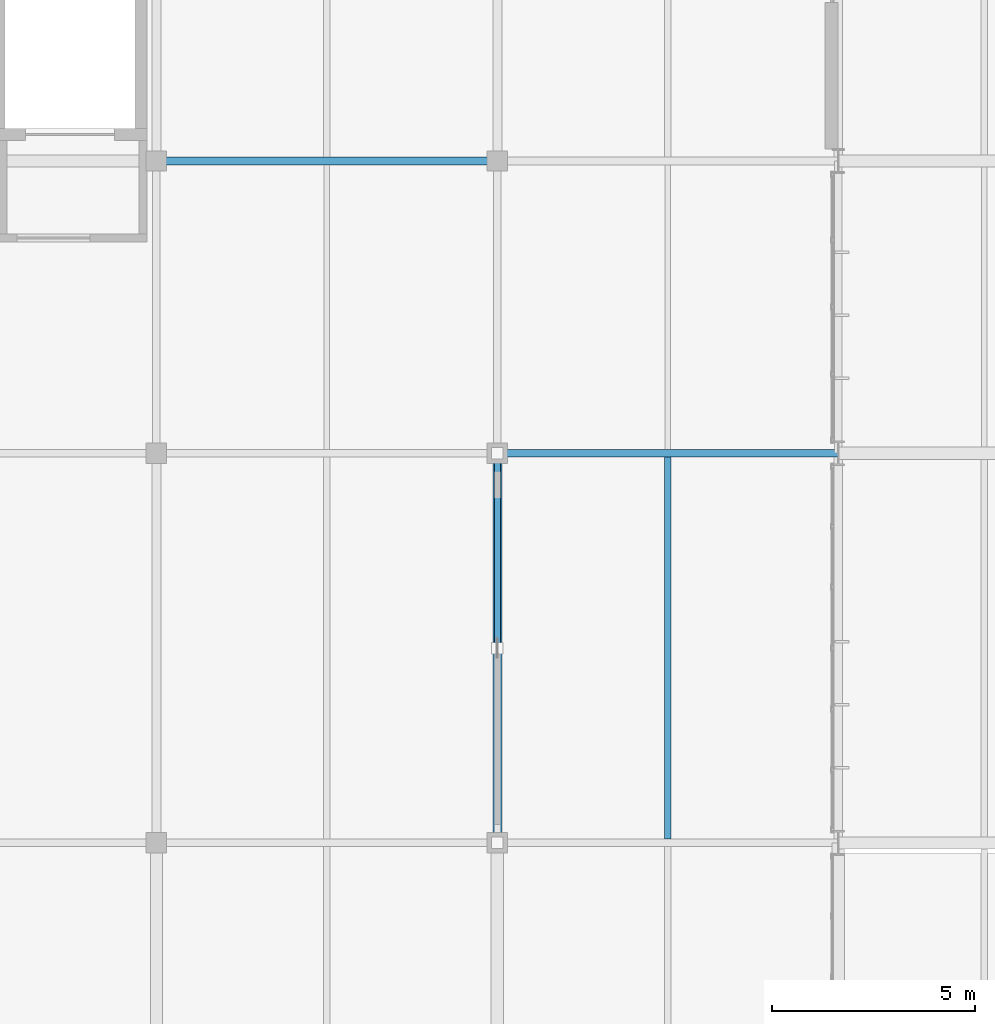
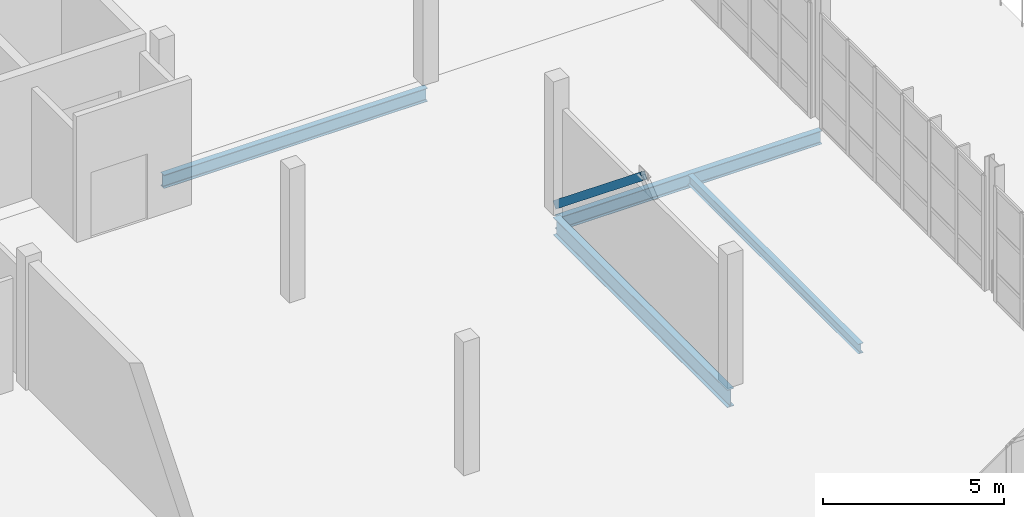
# One storey, part 70 of 109: 4 beams, 1 member.
"""IFC4 building model written with IfcOpenShell, lengths in metres."""

from ifc_helpers import new_model, si_unit, direction, frame, origin, origin_2d, place, context, subcontext, project, spatial, hollow_rectangle, i_section, extrude, material, material_profile, profile_set, type_object, element, save


model = new_model("IFC4")

# Units and contexts
model_context = context("Model", 3, precision=1e-05, world=origin(), true_north=direction((0.0, 1.0)))
body_context = subcontext(model_context, "Body", "Model", "MODEL_VIEW")
ifc_project = project(units=[si_unit("LENGTHUNIT", "METRE"), si_unit("AREAUNIT", "SQUARE_METRE"), si_unit("VOLUMEUNIT", "CUBIC_METRE"), si_unit("PLANEANGLEUNIT", "RADIAN"), si_unit("MASSUNIT", "GRAM", prefix="KILO")], contexts=[model_context])

# Site, building, storey
site_placement = place(None, origin())
site = spatial("IfcSite", under=ifc_project, at=site_placement, CompositionType="ELEMENT")
building_placement = place(site_placement, origin())
building = spatial("IfcBuilding", under=site, at=building_placement, Name="Veltarok Museum of Natural Sciences", CompositionType="ELEMENT")
storey_placement = place(building_placement, frame((0.0, 0.0, 17.39990234375)))
storey = spatial("IfcBuildingStorey", under=building, at=storey_placement, Name="L03", CompositionType="ELEMENT", Elevation=17.39990234375)

# Beams
ifc_material_1 = material(Name="Steel S355J2", Category="steel")
ifc_material_profile_1 = material_profile(ifc_material_1, i_section(OverallWidth=0.18994140625, OverallDepth=0.449951171875, WebThickness=0.009521484375, FlangeThickness=0.0146484375, FilletRadius=0.02099609375, at=origin_2d()), Name="IPE 450")
ifc_profile_set_1 = profile_set([ifc_material_profile_1], Name="Steel S355J2")
beam_type_1 = type_object("IfcBeamType", Name="Laboratory Floor Girder IPE 450", PredefinedType="BEAM", material=ifc_profile_set_1)
beam_1_placement = place(storey_placement, frame((149.199951171875, 19.199951171875, -0.48486328125), z_axis=(1.0, 0.0, 0.0), x_axis=(0.0, 1.0, 0.0)))
element("IfcBeam", 1, at=beam_1_placement, inside=storey, type_object=beam_type_1, Name="Beam BM-G05 L03 18-19/C", PredefinedType="BEAM", context=body_context, shape_type="SweptSolid", body=[
    extrude(i_section(OverallWidth=0.18994140625, OverallDepth=0.449951171875, WebThickness=0.009521484375, FlangeThickness=0.0146484375, FilletRadius=0.02099609375, at=origin_2d()), origin(), (0.0, 0.0, 1.0), 8.400146484375),
])
beam_2_placement = place(storey_placement, frame((140.800048828125, 26.39990234375, -0.474853515625), z_axis=(1.0, 0.0, 0.0), x_axis=(0.0, 1.0, 0.0)))
element("IfcBeam", 2, at=beam_2_placement, inside=storey, type_object=beam_type_1, Name="Beam BM-G05 L03 17-18/D", PredefinedType="BEAM", context=body_context, shape_type="SweptSolid", body=[
    extrude(i_section(OverallWidth=0.18994140625, OverallDepth=0.449951171875, WebThickness=0.009521484375, FlangeThickness=0.0146484375, FilletRadius=0.02099609375, at=origin_2d()), origin(), (0.0, 0.0, 1.0), 8.39990234375),
])
ifc_material_profile_2 = material_profile(ifc_material_1, i_section(OverallWidth=0.159912109375, OverallDepth=0.330078125, WebThickness=0.007568359375, FlangeThickness=0.011474609375, FilletRadius=0.01806640625, at=origin_2d()), Name="IPE 330")
ifc_profile_set_2 = profile_set([ifc_material_profile_2], Name="Steel S355J2")
beam_type_2 = type_object("IfcBeamType", Name="Medium-Bay Composite Joist IPE 330", PredefinedType="JOIST", material=ifc_profile_set_2)
beam_3_placement = place(storey_placement, frame((153.39990234375, 9.693115234375, -0.414794921875), z_axis=(0.0, 1.0, 0.0), x_axis=(-1.0, 0.0, 0.0)))
element("IfcBeam", 3, at=beam_3_placement, inside=storey, type_object=beam_type_2, Name="Secondary Joist BM-J02 L03 18-19/B-C.1", PredefinedType="JOIST", context=body_context, shape_type="SweptSolid", body=[
    extrude(i_section(OverallWidth=0.159912109375, OverallDepth=0.330078125, WebThickness=0.007568359375, FlangeThickness=0.011474609375, FilletRadius=0.01806640625, at=origin_2d()), origin(), (0.0, 0.0, 1.0), 9.413818359375),
])

# Member
ifc_material_2 = material(Name="Oxide-red painted Steel S355J2", Category="steel")
ifc_material_profile_3 = material_profile(ifc_material_2, hollow_rectangle(XDim=0.14990234375, YDim=0.25, WallThickness=0.010009765625, at=origin_2d()), Name="RHS 250x150x10")
ifc_profile_set_3 = profile_set([ifc_material_profile_3], Name="Oxide-red painted Steel S355J2")
member_type = type_object("IfcMemberType", Name="Perimeter Frame Lateral Brace RHS 250x150x10", PredefinedType="BRACE", material=ifc_profile_set_3)
member_placement = place(storey_placement, frame((149.199951171875, 19.199951171875, 0.150146484375), z_axis=(0.0, -0.778502909612, 0.627640995893), x_axis=(1.0, 0.0, 0.0)))
element("IfcMember", 4, at=member_placement, inside=storey, type_object=member_type, Name="Chevron Lateral Brace L03 18/B-C", PredefinedType="BRACE", context=body_context, shape_type="SweptSolid", body=[
    extrude(hollow_rectangle(XDim=0.14990234375, YDim=0.25, WallThickness=0.010009765625, at=origin_2d()), origin(), (0.0, 0.0, 1.0), 6.165771484375),
])

# Beam
ifc_material_profile_4 = material_profile(ifc_material_1, i_section(OverallWidth=0.219970703125, OverallDepth=0.60009765625, WebThickness=0.011962890625, FlangeThickness=0.01904296875, FilletRadius=0.02392578125, at=origin_2d()), Name="IPE 600")
ifc_profile_set_4 = profile_set([ifc_material_profile_4], Name="Steel S355J2")
beam_type_3 = type_object("IfcBeamType", Name="Primary Museum Girder IPE 600", PredefinedType="BEAM", material=ifc_profile_set_4)
beam_4_placement = place(storey_placement, frame((149.199951171875, 9.60009765625, -0.5498046875), z_axis=(0.0, 1.0, 0.0), x_axis=(-1.0, 0.0, 0.0)))
element("IfcBeam", 5, at=beam_4_placement, inside=storey, type_object=beam_type_3, Name="Beam BM-G02 L03 18/B-C", PredefinedType="BEAM", context=body_context, shape_type="SweptSolid", body=[
    extrude(i_section(OverallWidth=0.219970703125, OverallDepth=0.60009765625, WebThickness=0.011962890625, FlangeThickness=0.01904296875, FilletRadius=0.02392578125, at=origin_2d()), origin(), (0.0, 0.0, 1.0), 9.599853515625),
])

save(model, "model.ifc")
